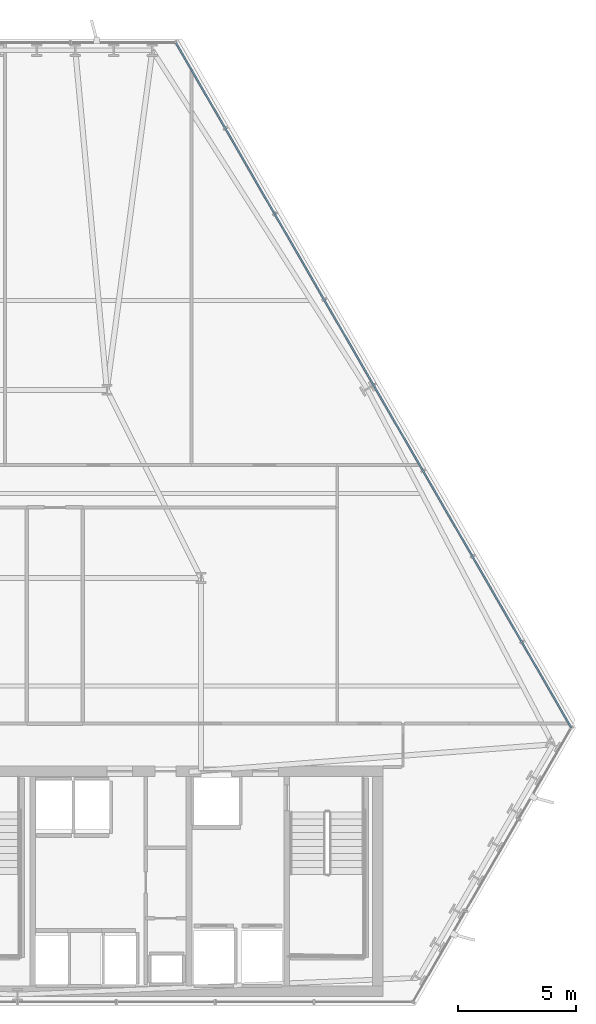
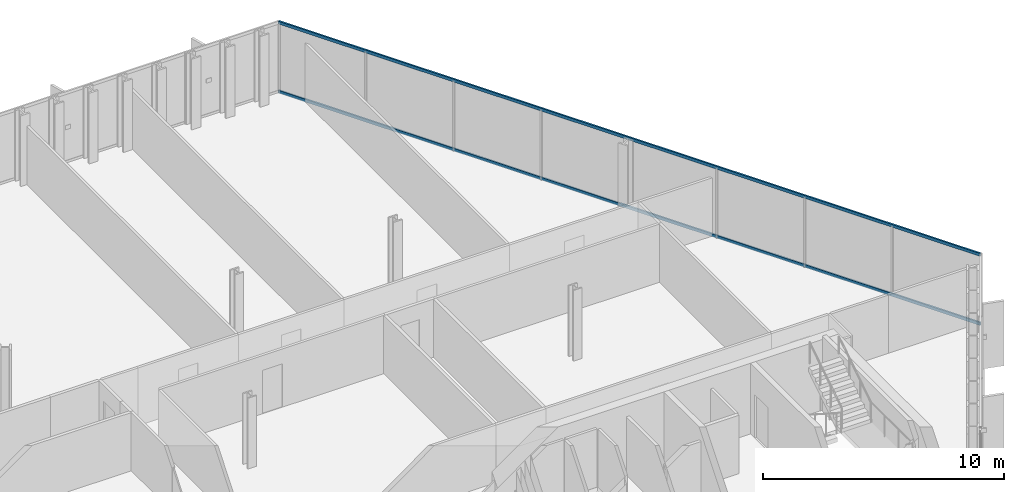
# One storey, part 18 of 31: 2 members, 1 element without a shape of its own.
"""IFC4 building model written with IfcOpenShell, lengths in metres."""

from ifc_helpers import new_model, si_unit, direction, frame, origin, origin_2d, place, context, subcontext, project, spatial, hollow_rectangle, extrude, material, layer, layer_set, material_profile, profile_set, type_object, element, aggregate, save


model = new_model("IFC4")

# Units and contexts
model_context = context("Model", 3, precision=1e-05, world=origin(), true_north=direction((0.0, 1.0)))
body_context = subcontext(model_context, "Body", "Model", "MODEL_VIEW")
ifc_project = project(units=[si_unit("LENGTHUNIT", "METRE"), si_unit("AREAUNIT", "SQUARE_METRE"), si_unit("VOLUMEUNIT", "CUBIC_METRE"), si_unit("PLANEANGLEUNIT", "RADIAN"), si_unit("MASSUNIT", "GRAM", prefix="KILO")], contexts=[model_context])

# Site, building, storey
site_placement = place(None, origin())
site = spatial("IfcSite", under=ifc_project, at=site_placement, CompositionType="ELEMENT")
building_placement = place(site_placement, origin())
building = spatial("IfcBuilding", under=site, at=building_placement, Name="Ndaravel Arena Tower", CompositionType="ELEMENT")
storey_placement = place(building_placement, frame((0.0, 0.0, 100.60009765625)))
storey = spatial("IfcBuildingStorey", under=building, at=storey_placement, Name="L23", CompositionType="ELEMENT", Elevation=100.60009765625)

# Curtain wall, members
ifc_material_1 = material(Name="Aluminium", Category="aluminium")
ifc_layer = layer(ifc_material_1, 0.179931640625)
ifc_layer_set = layer_set([ifc_layer], Name="Aluminium")
curtain_wall_type = type_object("IfcCurtainWallType", Name="CW-SYS-03", PredefinedType="NOTDEFINED", material=ifc_layer_set)
curtain_wall_placement = place(storey_placement, origin())
curtain_wall = element("IfcCurtainWall", 1, at=curtain_wall_placement, inside=storey, type_object=curtain_wall_type, Name="L23 Faceted Crystal Curtain Wall CW-L23-E03", PredefinedType="NOTDEFINED")
ifc_material_2 = material(Name="Aluminium", Category="aluminium")
ifc_material_profile = material_profile(ifc_material_2, hollow_rectangle(XDim=0.074951171875, YDim=0.14990234375, WallThickness=0.00390625, at=origin_2d()), Name="CW TRANSOM 75x150x4")
ifc_profile_set = profile_set([ifc_material_profile], Name="Aluminium")
member_type = type_object("IfcMemberType", Name="MEM-CW-TRN150", PredefinedType="USERDEFINED", material=ifc_profile_set)
member_1_placement = place(storey_placement, frame((65.557373046875, 16.832763671875, 0.039794921875), z_axis=(-0.49999932107, 0.866025795764, 0.0), x_axis=(-0.866025795764, -0.49999932107, 0.0)))
member_1 = element("IfcMember", 2, at=member_1_placement, type_object=member_type, Name="CW-L23-E03 Transom 01", ObjectType="TRANSOM", PredefinedType="USERDEFINED", context=body_context, shape_type="SweptSolid", body=[
    extrude(hollow_rectangle(XDim=0.074951171875, YDim=0.14990234375, WallThickness=0.00390625, at=origin_2d()), origin(), (0.0, 0.0, 1.0), 33.63623046875),
])
member_2_placement = place(storey_placement, frame((65.557373046875, 16.832763671875, 3.539794921875), z_axis=(-0.49999932107, 0.866025795764, 0.0), x_axis=(-0.866025795764, -0.49999932107, 0.0)))
member_2 = element("IfcMember", 3, at=member_2_placement, type_object=member_type, Name="CW-L23-E03 Transom 02", ObjectType="TRANSOM", PredefinedType="USERDEFINED", context=body_context, shape_type="SweptSolid", body=[
    extrude(hollow_rectangle(XDim=0.074951171875, YDim=0.14990234375, WallThickness=0.00390625, at=origin_2d()), origin(), (0.0, 0.0, 1.0), 33.63623046875),
])
aggregate(curtain_wall, [member_1, member_2])

save(model, "model.ifc")
